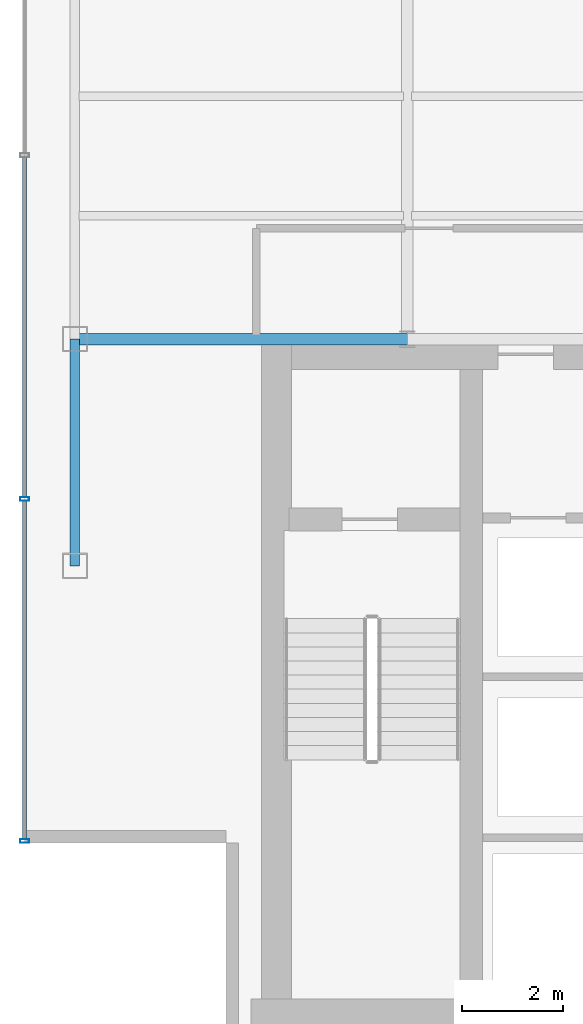
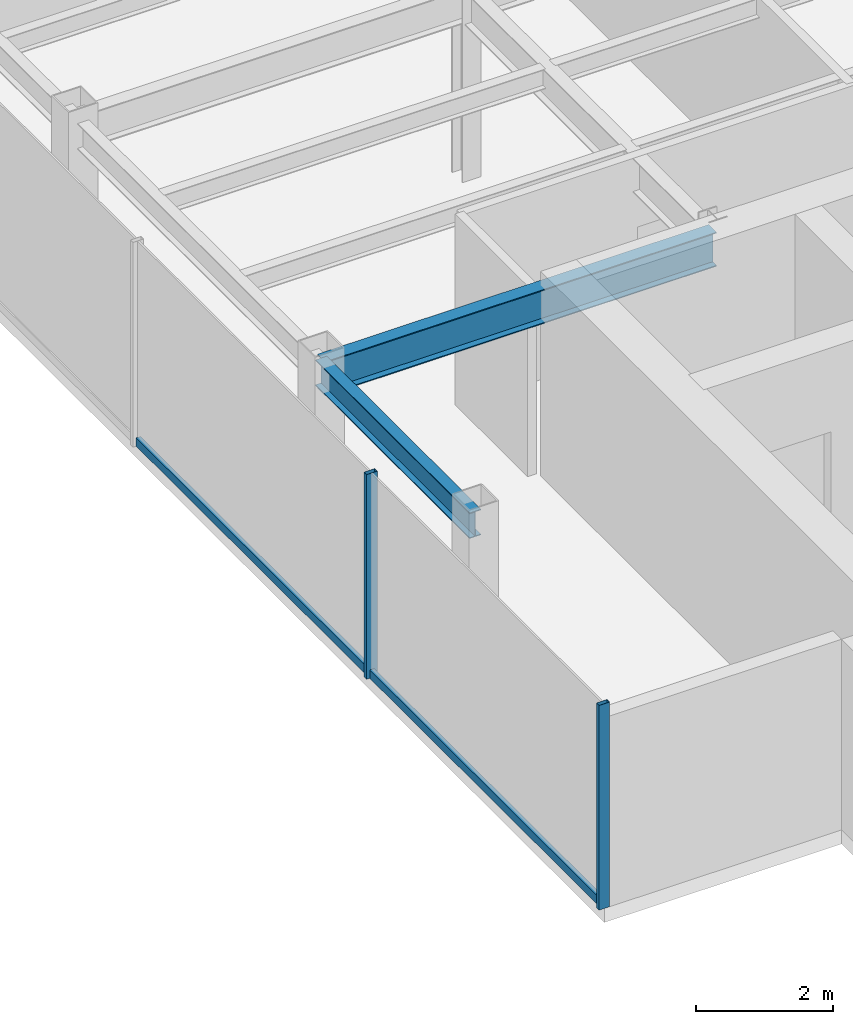
# One storey, part 3 of 22: 4 members, 2 beams, 1 element without a shape of its own.
"""IFC4 building model written with IfcOpenShell, lengths in metres."""

from ifc_helpers import new_model, si_unit, derived_unit, direction, frame, origin, origin_2d, place, context, subcontext, project, spatial, hollow_rectangle, i_section, extrude, source, transform, mapped, material, material_profile, profile_set, type_object, element, aggregate, save


model = new_model("IFC4")

# Units and contexts
model_context = context("Model", 3, precision=1e-05, world=origin(), true_north=direction((0.0, 1.0)))
body_context = subcontext(model_context, "Body", "Model", "MODEL_VIEW")
ifc_project = project(units=[si_unit("LENGTHUNIT", "METRE"), si_unit("AREAUNIT", "SQUARE_METRE"), si_unit("VOLUMEUNIT", "CUBIC_METRE"), si_unit("PLANEANGLEUNIT", "RADIAN"), si_unit("MASSUNIT", "GRAM", prefix="KILO"), derived_unit("THERMALTRANSMITTANCEUNIT", [(si_unit("POWERUNIT", "WATT"), 1), (si_unit("LENGTHUNIT", "METRE"), -2), (si_unit("THERMODYNAMICTEMPERATUREUNIT", "KELVIN"), -1)])], contexts=[model_context])

# Site, building, storey
site_placement = place(None, origin())
site = spatial("IfcSite", under=ifc_project, at=site_placement, CompositionType="ELEMENT")
building_placement = place(site_placement, origin())
building = spatial("IfcBuilding", under=site, at=building_placement, Name="Skarnbrae Concourse Arena and Tower", CompositionType="ELEMENT")
storey_placement = place(building_placement, frame((0.0, 0.0, 214.14990234375)))
storey = spatial("IfcBuildingStorey", under=building, at=storey_placement, Name="L55", CompositionType="ELEMENT", Elevation=214.14990234375)

# Beams
ifc_material_1 = material(Name="Steel CSA G40.21 350W", Category="steel")
ifc_material_profile_1 = material_profile(ifc_material_1, i_section(OverallWidth=0.22802734375, OverallDepth=0.60791015625, WebThickness=0.01123046875, FlangeThickness=0.017333984375, at=origin_2d()), Name="W610X113")
ifc_profile_set_1 = profile_set([ifc_material_profile_1], Name="Steel CSA G40.21 350W")
beam_type_1 = type_object("IfcBeamType", Name="BM-GIRD-W610X113", PredefinedType="BEAM", material=ifc_profile_set_1)
shared_shape_1 = source(origin(), body_context, "Body", "SweptSolid", [
    extrude(i_section(OverallWidth=0.22802734375, OverallDepth=0.60791015625, WebThickness=0.01123046875, FlangeThickness=0.017333984375, at=origin_2d()), origin(), (0.0, 0.0, 1.0), 6.60009765625),
])
beam_1_placement = place(storey_placement, frame((1.0, 14.0, 3.09619140625), z_axis=(1.0, 0.0, 0.0), x_axis=(0.0, 1.0, 0.0)))
element("IfcBeam", 1, at=beam_1_placement, inside=storey, type_object=beam_type_1, Name="L55 Primary E-W girder Y14.0-1", PredefinedType="BEAM", context=body_context, shape_type="MappedRepresentation", body=[
    mapped(shared_shape_1, transform((0.0, 0.0, 0.0))),
])
ifc_material_profile_2 = material_profile(ifc_material_1, i_section(OverallWidth=0.19091796875, OverallDepth=0.4599609375, WebThickness=0.010009765625, FlangeThickness=0.01611328125, at=origin_2d()), Name="W460X82")
ifc_profile_set_2 = profile_set([ifc_material_profile_2], Name="Steel CSA G40.21 350W")
beam_type_2 = type_object("IfcBeamType", Name="BM-SPAN-W460X82", PredefinedType="SPANDREL", material=ifc_profile_set_2)
shared_shape_2 = source(origin(), body_context, "Body", "SweptSolid", [
    extrude(i_section(OverallWidth=0.19091796875, OverallDepth=0.4599609375, WebThickness=0.010009765625, FlangeThickness=0.01611328125, at=origin_2d()), origin(), (0.0, 0.0, 1.0), 4.5),
])
beam_2_placement = place(storey_placement, frame((1.0, 9.5, 3.170166015625), z_axis=(0.0, 1.0, 0.0), x_axis=(-1.0, 0.0, 0.0)))
element("IfcBeam", 2, at=beam_2_placement, inside=storey, type_object=beam_type_2, Name="L55 Perimeter spandrel X1.0-1", PredefinedType="SPANDREL", context=body_context, shape_type="MappedRepresentation", body=[
    mapped(shared_shape_2, transform((0.0, 0.0, 0.0))),
])

# Curtain wall, members
ifc_material_2 = material(Name="Bronze anodised aluminium 6063-T6", Category="aluminium")
curtain_wall_type = type_object("IfcCurtainWallType", Name="CW-SYS-05-HIGHZONE", PredefinedType="USERDEFINED", material=ifc_material_2)
curtain_wall_placement = place(storey_placement, origin())
curtain_wall = element("IfcCurtainWall", 3, at=curtain_wall_placement, inside=storey, type_object=curtain_wall_type, Name="L55 Unitised curtain wall CW-L55-E18", ObjectType="UNITISED CURTAIN WALL", PredefinedType="USERDEFINED")
ifc_material_profile_3 = material_profile(ifc_material_2, hollow_rectangle(XDim=0.074951171875, YDim=0.14990234375, WallThickness=0.00390625, at=origin_2d()), Name="ALU-TRAN-75X150")
ifc_profile_set_3 = profile_set([ifc_material_profile_3], Name="Bronze anodised aluminium 6063-T6")
member_type_1 = type_object("IfcMemberType", Name="CWT-CW-05", PredefinedType="USERDEFINED", material=ifc_profile_set_3)
shared_shape_3 = source(origin(), body_context, "Body", "SweptSolid", [
    extrude(hollow_rectangle(XDim=0.074951171875, YDim=0.14990234375, WallThickness=0.00390625, at=origin_2d()), origin(), (0.0, 0.0, 1.0), 6.712646484375),
])
member_1_placement = place(storey_placement, frame((0.0, 10.78759765625, 0.0751953125), z_axis=(0.0, -1.0, 0.0), x_axis=(1.0, 0.0, 0.0)))
member_1 = element("IfcMember", 4, at=member_1_placement, type_object=member_type_1, Name="CW-L55-E18 Transom 4", ObjectType="TRANSOM", PredefinedType="USERDEFINED", context=body_context, shape_type="MappedRepresentation", body=[
    mapped(shared_shape_3, transform((0.0, 0.0, 0.0))),
])
shared_shape_4 = source(origin(), body_context, "Body", "SweptSolid", [
    extrude(hollow_rectangle(XDim=0.074951171875, YDim=0.14990234375, WallThickness=0.00390625, at=origin_2d()), origin(), (0.0, 0.0, 1.0), 6.75),
])
member_2_placement = place(storey_placement, frame((0.0, 17.612548828125, 0.0751953125), z_axis=(0.0, -1.0, 0.0), x_axis=(1.0, 0.0, 0.0)))
member_2 = element("IfcMember", 5, at=member_2_placement, type_object=member_type_1, Name="CW-L55-E18 Transom 3", ObjectType="TRANSOM", PredefinedType="USERDEFINED", context=body_context, shape_type="MappedRepresentation", body=[
    mapped(shared_shape_4, transform((0.0, 0.0, 0.0))),
])
ifc_material_profile_4 = material_profile(ifc_material_2, hollow_rectangle(XDim=0.074951171875, YDim=0.179931640625, WallThickness=0.00390625, at=origin_2d()), Name="ALU-MULL-75X180")
ifc_profile_set_4 = profile_set([ifc_material_profile_4], Name="Bronze anodised aluminium 6063-T6")
member_type_2 = type_object("IfcMemberType", Name="CWM-CW-05", PredefinedType="MULLION", material=ifc_profile_set_4)
shared_shape_5 = source(origin(), body_context, "Body", "SweptSolid", [
    extrude(hollow_rectangle(XDim=0.074951171875, YDim=0.179931640625, WallThickness=0.00390625, at=origin_2d()), origin(), (0.0, 0.0, 1.0), 3.650146484375),
])
member_3_placement = place(storey_placement, frame((0.0, 10.824951171875, 0.0), z_axis=(0.0, 0.0, 1.0), x_axis=(0.0, -1.0, 0.0)))
member_3 = element("IfcMember", 6, at=member_3_placement, type_object=member_type_2, Name="CW-L55-E18 Mullion 4", PredefinedType="MULLION", context=body_context, shape_type="MappedRepresentation", body=[
    mapped(shared_shape_5, transform((0.0, 0.0, 0.0))),
])
member_4_placement = place(storey_placement, frame((0.0, 4.03759765625, 0.0), z_axis=(0.0, 0.0, 1.0), x_axis=(0.0, -1.0, 0.0)))
member_4 = element("IfcMember", 7, at=member_4_placement, type_object=member_type_2, Name="CW-L55-E18 Mullion 5", PredefinedType="MULLION", context=body_context, shape_type="MappedRepresentation", body=[
    mapped(shared_shape_5, transform((0.0, 0.0, 0.0))),
])
aggregate(curtain_wall, [member_3, member_4, member_2, member_1])

save(model, "model.ifc")
